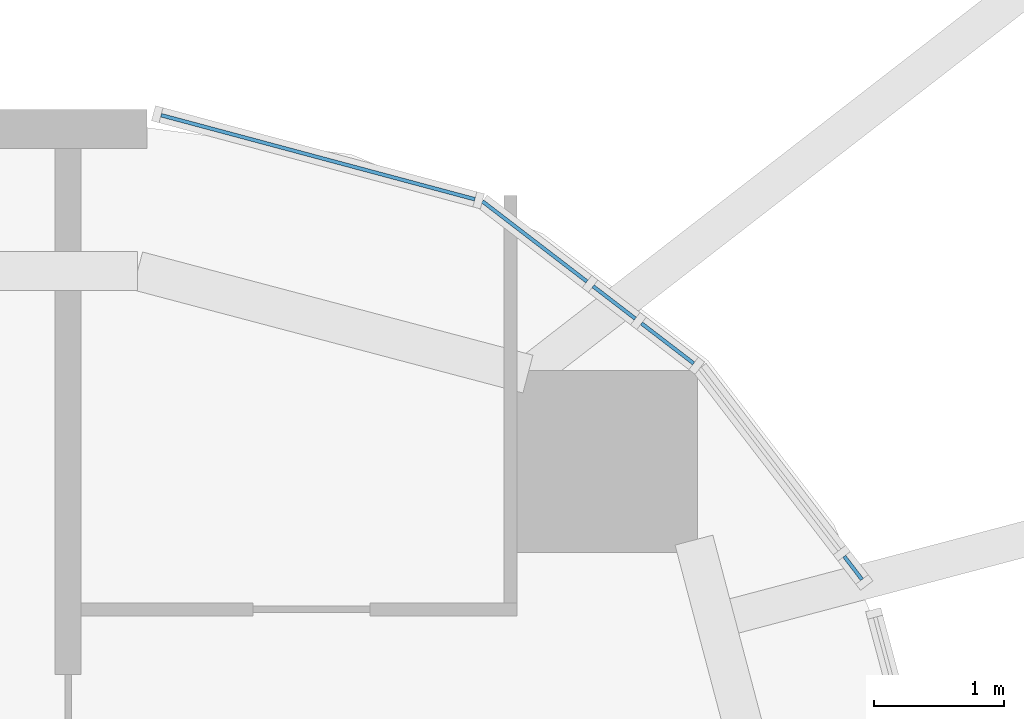
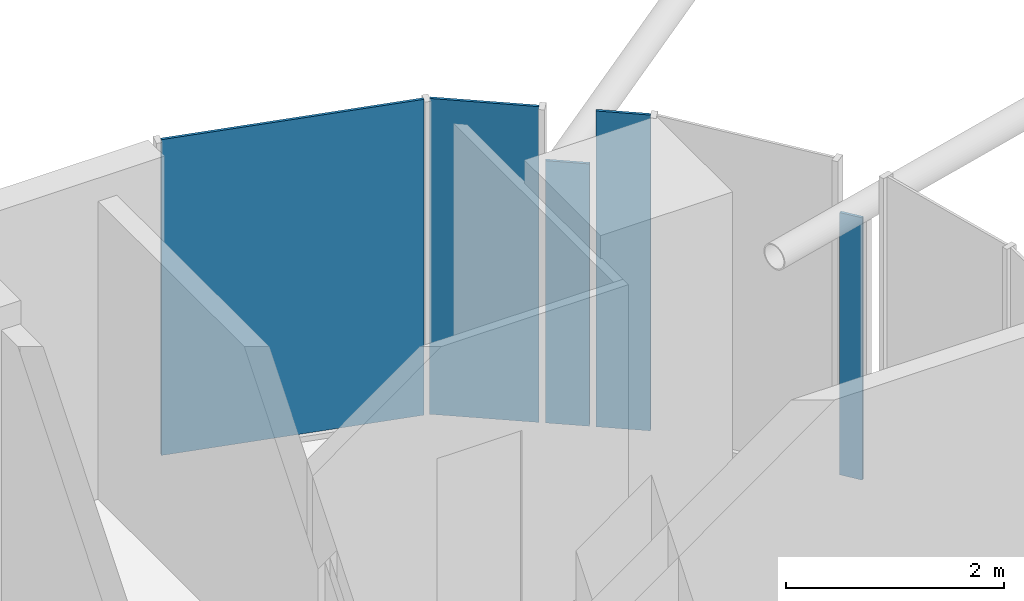
# One storey, part 22 of 31: 5 plates, 5 elements without a shape of their own.
"""IFC4 building model written with IfcOpenShell, lengths in metres."""

from ifc_helpers import new_model, si_unit, direction, frame, origin, origin_2d, place, context, subcontext, project, spatial, rectangle, extrude, material, layer, layer_set, type_object, element, aggregate, save


model = new_model("IFC4")

# Units and contexts
model_context = context("Model", 3, precision=1e-05, world=origin(), true_north=direction((0.0, 1.0)))
body_context = subcontext(model_context, "Body", "Model", "MODEL_VIEW")
ifc_project = project(units=[si_unit("LENGTHUNIT", "METRE"), si_unit("AREAUNIT", "SQUARE_METRE"), si_unit("VOLUMEUNIT", "CUBIC_METRE"), si_unit("PLANEANGLEUNIT", "RADIAN"), si_unit("MASSUNIT", "GRAM", prefix="KILO")], contexts=[model_context])

# Site, building, storey
site_placement = place(None, origin())
site = spatial("IfcSite", under=ifc_project, at=site_placement, CompositionType="ELEMENT")
building_placement = place(site_placement, origin())
building = spatial("IfcBuilding", under=site, at=building_placement, Name="Marenta Gate Hotel Tower", CompositionType="ELEMENT")
storey_placement = place(building_placement, frame((0.0, 0.0, 191.300048828125)))
storey = spatial("IfcBuildingStorey", under=building, at=storey_placement, Name="L43", CompositionType="ELEMENT", Elevation=191.300048828125)

# Curtain wall, plate
ifc_material_1 = material(Name="Tinted insulated glass in bronze anodised frame", Category="glass")
ifc_layer_1 = layer(ifc_material_1, 0.1201171875)
ifc_layer_set_1 = layer_set([ifc_layer_1], Name="Tinted insulated glass in bronze anodised frame")
curtain_wall_type = type_object("IfcCurtainWallType", Name="Tower unitised curtain wall CW1", PredefinedType="NOTDEFINED", material=ifc_layer_set_1)
curtain_wall_1_placement = place(storey_placement, origin())
curtain_wall_1 = element("IfcCurtainWall", 1, at=curtain_wall_1_placement, inside=storey, type_object=curtain_wall_type, Name="CW1 run G36", PredefinedType="NOTDEFINED")
ifc_material_2 = material(Name="Tinted insulated glass", Category="glass")
ifc_layer_2 = layer(ifc_material_2, 0.028076171875)
ifc_layer_set_2 = layer_set([ifc_layer_2], Name="Tinted insulated glass")
plate_type = type_object("IfcPlateType", Name="Glass panel CW1 28 mm tinted insulated unit", PredefinedType="CURTAIN_PANEL", material=ifc_layer_set_2)
plate_1_placement = place(storey_placement, frame((24.62939453125, 19.118896484375, 0.06005859375), z_axis=(0.0, 0.0, 1.0), x_axis=(-0.608808478087, 0.793317236047, 0.0)))
plate_1 = element("IfcPlate", 2, at=plate_1_placement, type_object=plate_type, Name="CW1 panel 1.1", PredefinedType="CURTAIN_PANEL", context=body_context, shape_type="SweptSolid", body=[
    extrude(rectangle(XDim=0.22412109375, YDim=0.028076171875, at=origin_2d()), origin(), (0.0, 0.0, 1.0), 2.9404296875),
])
aggregate(curtain_wall_1, [plate_1])

curtain_wall_2_placement = place(storey_placement, origin())
curtain_wall_2 = element("IfcCurtainWall", 3, at=curtain_wall_2_placement, inside=storey, type_object=curtain_wall_type, Name="CW1 run G38", PredefinedType="NOTDEFINED")
plate_2_placement = place(storey_placement, frame((23.20458984375, 20.843017578125, 0.059814453125), z_axis=(0.0, 0.0, 1.0), x_axis=(-0.793347091368, 0.608769572677, 0.0)))
plate_2 = element("IfcPlate", 4, at=plate_2_placement, type_object=plate_type, Name="CW1 panel 1.1", PredefinedType="CURTAIN_PANEL", context=body_context, shape_type="SweptSolid", body=[
    extrude(rectangle(XDim=0.505126953125, YDim=0.028076171875, at=origin_2d()), origin(), (0.0, 0.0, 1.0), 3.5400390625),
])
aggregate(curtain_wall_2, [plate_2])

curtain_wall_3_placement = place(storey_placement, origin())
curtain_wall_3 = element("IfcCurtainWall", 5, at=curtain_wall_3_placement, inside=storey, type_object=curtain_wall_type, Name="CW1 run G39", PredefinedType="NOTDEFINED")
plate_3_placement = place(storey_placement, frame((22.794677734375, 21.157470703125, 0.06005859375), z_axis=(0.0, 0.0, 1.0), x_axis=(-0.793290143052, 0.608843780404, 0.0)))
plate_3 = element("IfcPlate", 6, at=plate_3_placement, type_object=plate_type, Name="CW1 panel 1.1", PredefinedType="CURTAIN_PANEL", context=body_context, shape_type="SweptSolid", body=[
    extrude(rectangle(XDim=0.408447265625, YDim=0.028076171875, at=origin_2d()), origin(), (0.0, 0.0, 1.0), 2.9404296875),
])
aggregate(curtain_wall_3, [plate_3])

curtain_wall_4_placement = place(storey_placement, origin())
curtain_wall_4 = element("IfcCurtainWall", 7, at=curtain_wall_4_placement, inside=storey, type_object=curtain_wall_type, Name="CW1 run G40", PredefinedType="NOTDEFINED")
plate_4_placement = place(storey_placement, frame((22.183837890625, 21.626220703125, 0.059814453125), z_axis=(0.0, 0.0, 1.0), x_axis=(-0.793344960162, 0.60877235005, 0.0)))
plate_4 = element("IfcPlate", 8, at=plate_4_placement, type_object=plate_type, Name="CW1 panel 1.1", PredefinedType="CURTAIN_PANEL", context=body_context, shape_type="SweptSolid", body=[
    extrude(rectangle(XDim=1.01171875, YDim=0.028076171875, at=origin_2d()), origin(), (0.0, 0.0, 1.0), 3.5400390625),
])
aggregate(curtain_wall_4, [plate_4])

curtain_wall_5_placement = place(storey_placement, origin())
curtain_wall_5 = element("IfcCurtainWall", 9, at=curtain_wall_5_placement, inside=storey, type_object=curtain_wall_type, Name="CW1 run G41", PredefinedType="NOTDEFINED")
plate_5_placement = place(storey_placement, frame((20.51953125, 22.272705078125, 0.059814453125), z_axis=(0.0, 0.0, 1.0), x_axis=(-0.96592961764, 0.258804895175, 0.0)))
plate_5 = element("IfcPlate", 10, at=plate_5_placement, type_object=plate_type, Name="CW1 panel 1.1", PredefinedType="CURTAIN_PANEL", context=body_context, shape_type="SweptSolid", body=[
    extrude(rectangle(XDim=2.4951171875, YDim=0.028076171875, at=origin_2d()), origin(), (0.0, 0.0, 1.0), 3.5400390625),
])
aggregate(curtain_wall_5, [plate_5])

save(model, "model.ifc")
